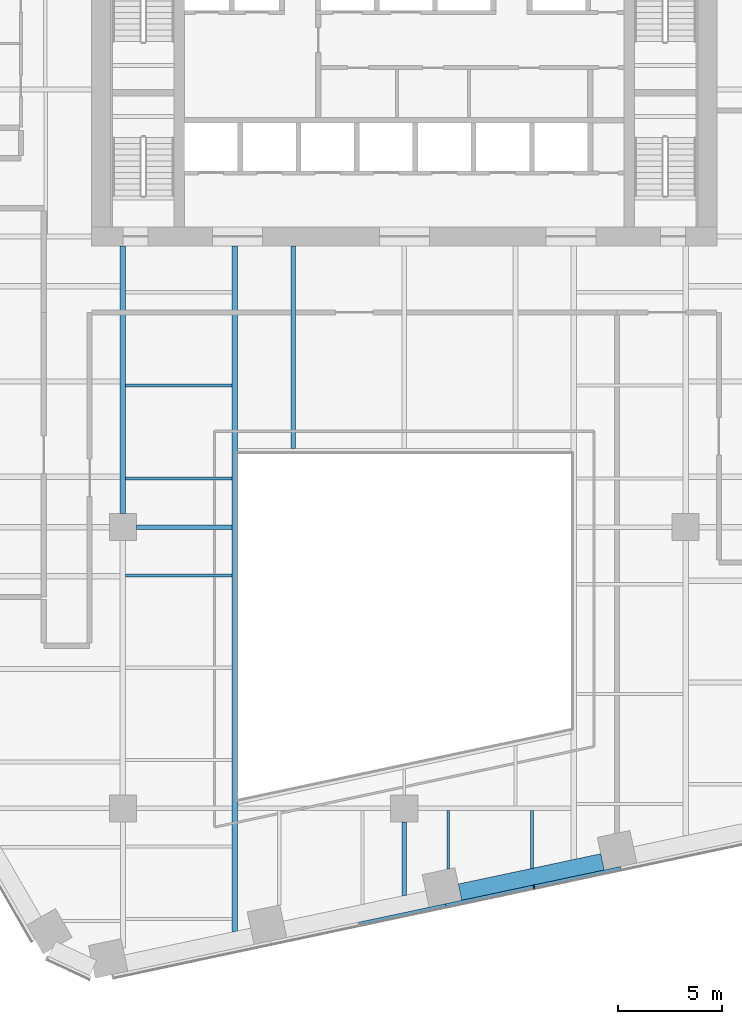
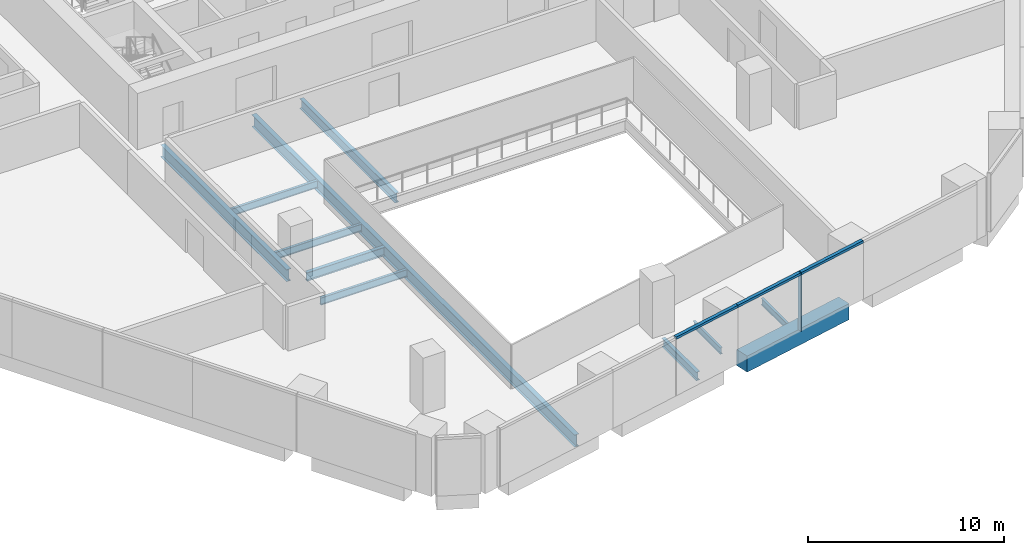
# One storey, part 4 of 19: 11 beams, 4 members, 1 element without a shape of its own.
"""IFC4 building model written with IfcOpenShell, lengths in metres."""

from ifc_helpers import new_model, si_unit, direction, frame, origin, origin_2d, place, context, subcontext, project, spatial, rectangle, i_section, extrude, material, layer, layer_set, material_profile, profile_set, type_object, element, aggregate, save


model = new_model("IFC4")

# Units and contexts
model_context = context("Model", 3, precision=1e-05, world=origin(), true_north=direction((0.0, 1.0)))
body_context = subcontext(model_context, "Body", "Model", "MODEL_VIEW")
ifc_project = project(units=[si_unit("LENGTHUNIT", "METRE"), si_unit("AREAUNIT", "SQUARE_METRE"), si_unit("VOLUMEUNIT", "CUBIC_METRE"), si_unit("PLANEANGLEUNIT", "RADIAN"), si_unit("MASSUNIT", "GRAM", prefix="KILO")], contexts=[model_context])

# Site, building, storey
site_placement = place(None, origin())
site = spatial("IfcSite", under=ifc_project, at=site_placement, CompositionType="ELEMENT")
building_placement = place(site_placement, origin())
building = spatial("IfcBuilding", under=site, at=building_placement, Name="Isthmus Gate Tower", CompositionType="ELEMENT")
storey_placement = place(building_placement, frame((0.0, 0.0, 87.949951171875)))
storey = spatial("IfcBuildingStorey", under=building, at=storey_placement, Name="L20", CompositionType="ELEMENT", Elevation=87.949951171875)

# Curtain wall, members
ifc_material_1 = material(Name="Aluminium, pale champagne anodised", Category="aluminium")
ifc_layer = layer(ifc_material_1, 0.199951171875)
ifc_layer_set = layer_set([ifc_layer], Name="CW-1 UNITISED CURTAIN WALL 200 DEEP")
curtain_wall_type = type_object("IfcCurtainWallType", Name="CW-1 UNITISED CURTAIN WALL 200 DEEP", PredefinedType="NOTDEFINED", material=ifc_layer_set)
curtain_wall_placement = place(storey_placement, origin())
curtain_wall = element("IfcCurtainWall", 1, at=curtain_wall_placement, inside=storey, type_object=curtain_wall_type, Name="CW-1 S L20", PredefinedType="NOTDEFINED")
ifc_material_2 = material(Name="Aluminium, pale champagne anodised", Category="aluminium")
ifc_material_profile_1 = material_profile(ifc_material_2, rectangle(XDim=0.06005859375, YDim=0.199951171875, at=origin_2d()), Name="60x200")
ifc_profile_set_1 = profile_set([ifc_material_profile_1], Name="Aluminium, pale champagne anodised")
member_type_1 = type_object("IfcMemberType", Name="CW-1 MULLION 60 X 200", PredefinedType="MULLION", material=ifc_profile_set_1)
member_1_placement = place(storey_placement, frame((6.228759765625, -30.7783203125, 0.0), z_axis=(0.0, 0.0, 1.0), x_axis=(0.978147600734, 0.207911690818, 0.0)))
member_1 = element("IfcMember", 2, at=member_1_placement, type_object=member_type_1, Name="CW-1 mullion", PredefinedType="MULLION", context=body_context, shape_type="SweptSolid", body=[
    extrude(rectangle(XDim=0.06005859375, YDim=0.199951171875, at=origin_2d()), origin(), (0.0, 0.0, 1.0), 3.650146484375),
])
ifc_material_3 = material(Name="Aluminium, pale champagne anodised", Category="aluminium")
ifc_material_profile_2 = material_profile(ifc_material_3, rectangle(XDim=0.199951171875, YDim=0.14990234375, at=origin_2d()), Name="200x150")
ifc_profile_set_2 = profile_set([ifc_material_profile_2], Name="Aluminium, pale champagne anodised")
member_type_2 = type_object("IfcMemberType", Name="CW-1 TRANSOM 200 X 150", PredefinedType="USERDEFINED", material=ifc_profile_set_2)
member_2_placement = place(storey_placement, frame((-2.1435546875, -32.557861328125, 3.574951171875), z_axis=(0.978150351608, 0.20789874855, 0.0), x_axis=(-0.20789874855, 0.978150351608, 0.0)))
member_2 = element("IfcMember", 3, at=member_2_placement, type_object=member_type_2, Name="CW-1 transom", ObjectType="TRANSOM", PredefinedType="USERDEFINED", context=body_context, shape_type="SweptSolid", body=[
    extrude(rectangle(XDim=0.199951171875, YDim=0.14990234375, at=origin_2d()), origin(), (0.0, 0.0, 1.0), 4.234619140625),
])
member_3_placement = place(storey_placement, frame((1.99853515625, -31.677490234375, 3.574951171875), z_axis=(0.97813890815, 0.207952582007, 0.0), x_axis=(-0.207952582007, 0.97813890815, 0.0)))
member_3 = element("IfcMember", 4, at=member_3_placement, type_object=member_type_2, Name="CW-1 transom", ObjectType="TRANSOM", PredefinedType="USERDEFINED", context=body_context, shape_type="SweptSolid", body=[
    extrude(rectangle(XDim=0.199951171875, YDim=0.14990234375, at=origin_2d()), origin(), (0.0, 0.0, 1.0), 4.294677734375),
])
member_4_placement = place(storey_placement, frame((6.258056640625, -30.77197265625, 3.574951171875), z_axis=(0.978150351608, 0.20789874855, 0.0), x_axis=(-0.20789874855, 0.978150351608, 0.0)))
member_4 = element("IfcMember", 5, at=member_4_placement, type_object=member_type_2, Name="CW-1 transom", ObjectType="TRANSOM", PredefinedType="USERDEFINED", context=body_context, shape_type="SweptSolid", body=[
    extrude(rectangle(XDim=0.199951171875, YDim=0.14990234375, at=origin_2d()), origin(), (0.0, 0.0, 1.0), 4.234619140625),
])
aggregate(curtain_wall, [member_2, member_3, member_1, member_4])

# Beams
ifc_material_4 = material(Name="Concrete f'c 70 MPa", Category="concrete")
ifc_material_profile_3 = material_profile(ifc_material_4, rectangle(XDim=0.800048828125, YDim=1.0, at=origin_2d()), Name="RC 800X1000")
ifc_profile_set_3 = profile_set([ifc_material_profile_3], Name="Concrete f'c 70 MPa")
beam_type_1 = type_object("IfcBeamType", Name="RC SPANDREL 800 X 1000", PredefinedType="SPANDREL", material=ifc_profile_set_3)
beam_1_placement = place(storey_placement, frame((9.513671875, -29.56884765625, -0.5), z_axis=(-0.978149173437, -0.207904291694, 0.0), x_axis=(0.207904291694, -0.978149173437, 0.0)))
element("IfcBeam", 6, at=beam_1_placement, inside=storey, type_object=beam_type_1, Name="str-spandrel-L20-11", PredefinedType="SPANDREL", context=body_context, shape_type="SweptSolid", body=[
    extrude(rectangle(XDim=0.800048828125, YDim=1.0, at=origin_2d()), origin(), (0.0, 0.0, 1.0), 6.989501953125),
])
ifc_material_5 = material(Name="Structural steel ASTM A992 Gr 50", Category="steel")
ifc_material_profile_4 = material_profile(ifc_material_5, i_section(OverallWidth=0.1396484375, OverallDepth=0.4033203125, WebThickness=0.00634765625, FlangeThickness=0.010986328125, at=origin_2d()), Name="W16X31")
ifc_profile_set_4 = profile_set([ifc_material_profile_4], Name="Structural steel ASTM A992 Gr 50")
beam_type_2 = type_object("IfcBeamType", Name="STEEL FLOOR BEAM W16X31", PredefinedType="JOIST", material=ifc_profile_set_4)
beam_2_placement = place(storey_placement, frame((2.111572265625, -29.91552734375, -0.3515625), z_axis=(0.0, 1.0, 0.0), x_axis=(-1.0, 0.0, 0.0)))
element("IfcBeam", 7, at=beam_2_placement, inside=storey, type_object=beam_type_2, Name="str-beam-L20-19-00", PredefinedType="JOIST", context=body_context, shape_type="SweptSolid", body=[
    extrude(i_section(OverallWidth=0.1396484375, OverallDepth=0.4033203125, WebThickness=0.00634765625, FlangeThickness=0.010986328125, at=origin_2d()), origin(), (0.0, 0.0, 1.0), 2.80126953125),
])
beam_3_placement = place(storey_placement, frame((6.125, -29.880126953125, -0.3515625), z_axis=(0.0, 1.0, 0.0), x_axis=(-1.0, 0.0, 0.0)))
element("IfcBeam", 8, at=beam_3_placement, inside=storey, type_object=beam_type_2, Name="str-beam-L20-19-01", PredefinedType="JOIST", context=body_context, shape_type="SweptSolid", body=[
    extrude(i_section(OverallWidth=0.1396484375, OverallDepth=0.4033203125, WebThickness=0.00634765625, FlangeThickness=0.010986328125, at=origin_2d()), origin(), (0.0, 0.0, 1.0), 2.765869140625),
])
ifc_material_6 = material(Name="Structural steel ASTM A992 Gr 50", Category="steel")
ifc_material_profile_5 = material_profile(ifc_material_6, i_section(OverallWidth=0.15234375, OverallDepth=0.45068359375, WebThickness=0.0078125, FlangeThickness=0.010986328125, at=origin_2d()), Name="W18X35")
ifc_profile_set_5 = profile_set([ifc_material_profile_5], Name="Structural steel ASTM A992 Gr 50")
beam_type_3 = type_object("IfcBeamType", Name="STEEL FLOOR BEAM W18X35", PredefinedType="JOIST", material=ifc_profile_set_5)
for number, where, z_axis, x_axis, name in (
    (9, (-13.3681640625, -11.16259765625, -0.375244140625), (1.0, 0.0, 0.0), (0.0, 1.0, 0.0), "str-beam-L20-12-00"),
    (10, (-13.3681640625, -6.697509765625, -0.375244140625), (1.0, 0.0, 0.0), (0.0, 1.0, 0.0), "str-beam-L20-12-01"),
    (11, (-13.3681640625, -15.81982421875, -0.375244140625), (1.0, 0.0, 0.0), (0.0, 1.0, 0.0), "str-beam-L20-13-02"),
):
    element("IfcBeam", number, at=place(storey_placement, frame(where, z_axis=z_axis, x_axis=x_axis)), inside=storey, type_object=beam_type_3, Name=name, PredefinedType="JOIST", context=body_context, shape_type="SweptSolid", body=[
        extrude(i_section(OverallWidth=0.15234375, OverallDepth=0.45068359375, WebThickness=0.0078125, FlangeThickness=0.010986328125, at=origin_2d()), origin(), (0.0, 0.0, 1.0), 5.1015625),
    ])
ifc_material_7 = material(Name="Structural steel ASTM A992 Gr 50", Category="steel")
ifc_material_profile_6 = material_profile(ifc_material_7, i_section(OverallWidth=0.228515625, OverallDepth=0.603271484375, WebThickness=0.010986328125, FlangeThickness=0.014404296875, at=origin_2d()), Name="W24X68")
ifc_profile_set_6 = profile_set([ifc_material_profile_6], Name="Structural steel ASTM A992 Gr 50")
beam_type_4 = type_object("IfcBeamType", Name="STEEL FLOOR BEAM W24X68", PredefinedType="JOIST", material=ifc_profile_set_6)
beam_4_placement = place(storey_placement, frame((-5.333251953125, -9.7333984375, -0.45166015625), z_axis=(0.0, 1.0, 0.0), x_axis=(-1.0, 0.0, 0.0)))
element("IfcBeam", 12, at=beam_4_placement, inside=storey, type_object=beam_type_4, Name="str-beam-L20-17-00", PredefinedType="JOIST", context=body_context, shape_type="SweptSolid", body=[
    extrude(i_section(OverallWidth=0.228515625, OverallDepth=0.603271484375, WebThickness=0.010986328125, FlangeThickness=0.014404296875, at=origin_2d()), origin(), (0.0, 0.0, 1.0), 9.7333984375),
])
ifc_material_8 = material(Name="Structural steel ASTM A992 Gr 50", Category="steel")
ifc_material_profile_7 = material_profile(ifc_material_8, i_section(OverallWidth=0.20947265625, OverallDepth=0.533447265625, WebThickness=0.009521484375, FlangeThickness=0.015869140625, at=origin_2d()), Name="W21X62")
ifc_profile_set_7 = profile_set([ifc_material_profile_7], Name="Structural steel ASTM A992 Gr 50")
beam_type_5 = type_object("IfcBeamType", Name="STEEL GIRDER W21X62", PredefinedType="BEAM", material=ifc_profile_set_7)
beam_5_placement = place(storey_placement, frame((-12.85009765625, -13.5, -0.416748046875), z_axis=(1.0, 0.0, 0.0), x_axis=(0.0, 1.0, 0.0)))
element("IfcBeam", 13, at=beam_5_placement, inside=storey, type_object=beam_type_5, Name="str-girder-L20-06", PredefinedType="BEAM", context=body_context, shape_type="SweptSolid", body=[
    extrude(i_section(OverallWidth=0.20947265625, OverallDepth=0.533447265625, WebThickness=0.009521484375, FlangeThickness=0.015869140625, at=origin_2d()), origin(), (0.0, 0.0, 1.0), 4.58349609375),
])
beam_6_placement = place(storey_placement, frame((0.0, -31.18212890625, -0.416748046875), z_axis=(0.0, 1.0, 0.0), x_axis=(-1.0, 0.0, 0.0)))
element("IfcBeam", 14, at=beam_6_placement, inside=storey, type_object=beam_type_5, Name="str-girder-L20-29", PredefinedType="BEAM", context=body_context, shape_type="SweptSolid", body=[
    extrude(i_section(OverallWidth=0.20947265625, OverallDepth=0.533447265625, WebThickness=0.009521484375, FlangeThickness=0.015869140625, at=origin_2d()), origin(), (0.0, 0.0, 1.0), 3.5322265625),
])
ifc_material_9 = material(Name="Structural steel ASTM A992 Gr 50", Category="steel")
ifc_material_profile_8 = material_profile(ifc_material_9, i_section(OverallWidth=0.263427734375, OverallDepth=0.749267578125, WebThickness=0.0126953125, FlangeThickness=0.015869140625, at=origin_2d()), Name="W30X90")
ifc_profile_set_8 = profile_set([ifc_material_profile_8], Name="Structural steel ASTM A992 Gr 50")
beam_type_6 = type_object("IfcBeamType", Name="STEEL GIRDER W30X90", PredefinedType="BEAM", material=ifc_profile_set_8)
beam_7_placement = place(storey_placement, frame((-13.5, -12.85009765625, -0.524658203125), z_axis=(0.0, 1.0, 0.0), x_axis=(-1.0, 0.0, 0.0)))
element("IfcBeam", 15, at=beam_7_placement, inside=storey, type_object=beam_type_6, Name="str-girder-L20-26", PredefinedType="BEAM", context=body_context, shape_type="SweptSolid", body=[
    extrude(i_section(OverallWidth=0.263427734375, OverallDepth=0.749267578125, WebThickness=0.0126953125, FlangeThickness=0.015869140625, at=origin_2d()), origin(), (0.0, 0.0, 1.0), 12.85009765625),
])
ifc_material_10 = material(Name="Structural steel ASTM A992 Gr 50", Category="steel")
ifc_material_profile_9 = material_profile(ifc_material_10, i_section(OverallWidth=0.2666015625, OverallDepth=0.7587890625, WebThickness=0.014404296875, FlangeThickness=0.01904296875, at=origin_2d()), Name="W30X108")
ifc_profile_set_9 = profile_set([ifc_material_profile_9], Name="Structural steel ASTM A992 Gr 50")
beam_type_7 = type_object("IfcBeamType", Name="STEEL TRIMMER W30X108", PredefinedType="BEAM", material=ifc_profile_set_9)
beam_8_placement = place(storey_placement, frame((-8.13330078125, 0.0, -0.529296875), z_axis=(0.0, -1.0, 0.0), x_axis=(1.0, 0.0, 0.0)))
element("IfcBeam", 16, at=beam_8_placement, inside=storey, type_object=beam_type_7, Name="str-trimmer-L20-02", PredefinedType="BEAM", context=body_context, shape_type="SweptSolid", body=[
    extrude(i_section(OverallWidth=0.2666015625, OverallDepth=0.7587890625, WebThickness=0.014404296875, FlangeThickness=0.01904296875, at=origin_2d()), origin(), (0.0, 0.0, 1.0), 32.910888671875),
])

save(model, "model.ifc")
